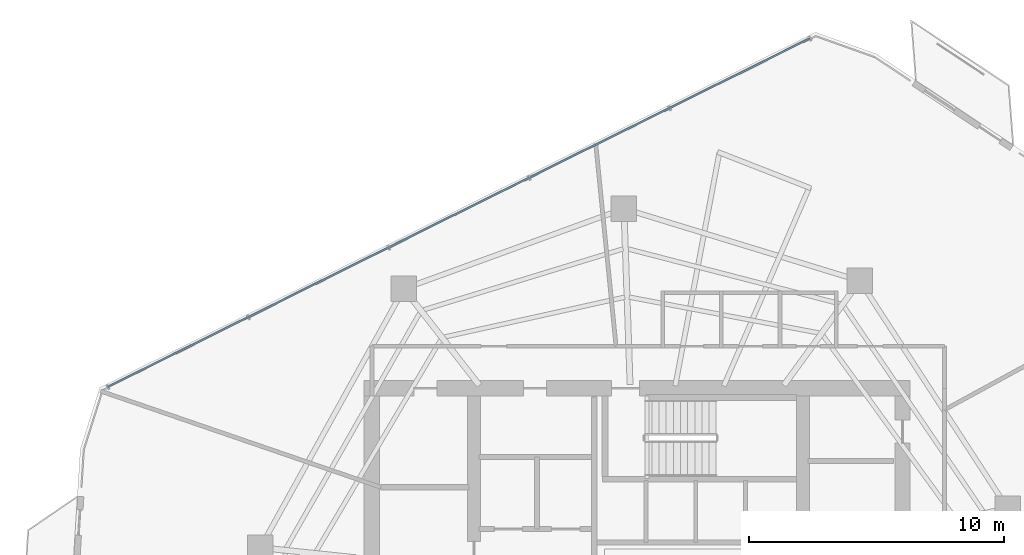
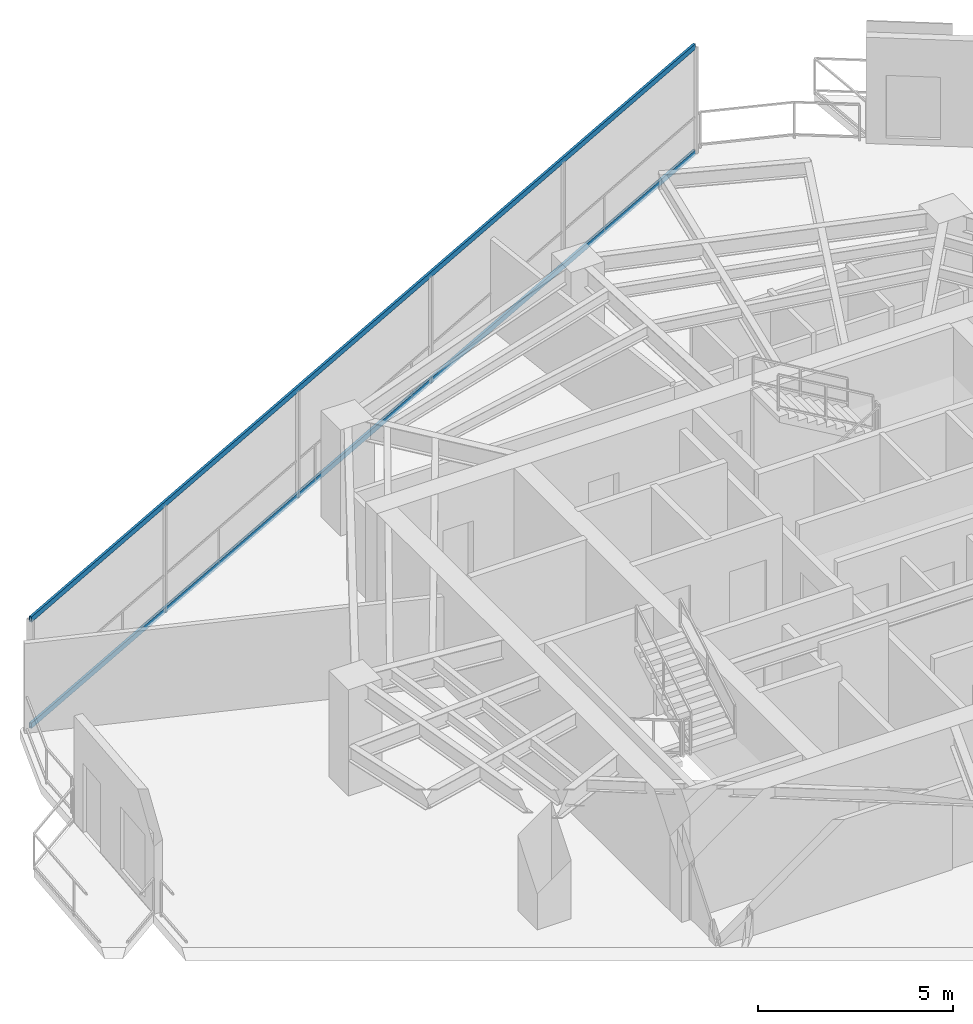
# One storey, part 13 of 21: 2 members, 1 element without a shape of its own.
"""IFC4 building model written with IfcOpenShell, lengths in metres."""

from ifc_helpers import new_model, si_unit, direction, frame, origin, origin_2d, place, context, subcontext, project, spatial, hollow_rectangle, extrude, material, layer, layer_set, material_profile, profile_set, type_object, element, aggregate, save


model = new_model("IFC4")

# Units and contexts
model_context = context("Model", 3, precision=1e-05, world=origin(), true_north=direction((0.0, 1.0)))
body_context = subcontext(model_context, "Body", "Model", "MODEL_VIEW")
ifc_project = project(units=[si_unit("LENGTHUNIT", "METRE"), si_unit("AREAUNIT", "SQUARE_METRE"), si_unit("VOLUMEUNIT", "CUBIC_METRE"), si_unit("PLANEANGLEUNIT", "RADIAN"), si_unit("MASSUNIT", "GRAM", prefix="KILO")], contexts=[model_context])

# Site, building, storey
site_placement = place(None, origin())
site = spatial("IfcSite", under=ifc_project, at=site_placement, CompositionType="ELEMENT")
building_placement = place(site_placement, origin())
building = spatial("IfcBuilding", under=site, at=building_placement, Name="Qarnah Convention Tower", CompositionType="ELEMENT")
storey_placement = place(building_placement, frame((0.0, 0.0, 165.300048828125)))
storey = spatial("IfcBuildingStorey", under=building, at=storey_placement, Name="L44", CompositionType="ELEMENT", Elevation=165.300048828125)

# Curtain wall, members
ifc_material_1 = material(Name="Tempered Low-E dark glass", Category="glass")
ifc_layer = layer(ifc_material_1, 0.172119140625)
ifc_layer_set = layer_set([ifc_layer], Name="Tempered Low-E dark glass")
curtain_wall_type = type_object("IfcCurtainWallType", Name="CWS-03", PredefinedType="NOTDEFINED", material=ifc_layer_set)
curtain_wall_placement = place(storey_placement, origin())
curtain_wall = element("IfcCurtainWall", 1, at=curtain_wall_placement, inside=storey, type_object=curtain_wall_type, Name="L44 unitised curtain wall CW-L44-F2", PredefinedType="NOTDEFINED")
ifc_material_2 = material(Name="Black anodised aluminium", Category="aluminium")
ifc_material_profile = material_profile(ifc_material_2, hollow_rectangle(XDim=0.070068359375, YDim=0.169921875, WallThickness=0.0048828125, at=origin_2d()), Name="TRN-70X170")
ifc_profile_set = profile_set([ifc_material_profile], Name="Black anodised aluminium")
member_type = type_object("IfcMemberType", Name="TRN-T3", PredefinedType="USERDEFINED", material=ifc_profile_set)
member_1_placement = place(storey_placement, frame((16.455078125, 34.2548828125, 0.0), z_axis=(0.895710677919, 0.444637359499, 0.0), x_axis=(-0.444637359499, 0.895710677919, 0.0)))
member_1 = element("IfcMember", 2, at=member_1_placement, type_object=member_type, Name="CW-L44-F2 transom 1", ObjectType="TRANSOM", PredefinedType="USERDEFINED", context=body_context, shape_type="SweptSolid", body=[
    extrude(hollow_rectangle(XDim=0.070068359375, YDim=0.169921875, WallThickness=0.0048828125, at=origin_2d()), origin(), (0.0, 0.0, 1.0), 30.726318359375),
])
member_2_placement = place(storey_placement, frame((16.455078125, 34.2548828125, 3.320068359375), z_axis=(0.895710677919, 0.444637359499, 0.0), x_axis=(-0.444637359499, 0.895710677919, 0.0)))
member_2 = element("IfcMember", 3, at=member_2_placement, type_object=member_type, Name="CW-L44-F2 transom 2", ObjectType="TRANSOM", PredefinedType="USERDEFINED", context=body_context, shape_type="SweptSolid", body=[
    extrude(hollow_rectangle(XDim=0.070068359375, YDim=0.169921875, WallThickness=0.0048828125, at=origin_2d()), origin(), (0.0, 0.0, 1.0), 30.726318359375),
])
aggregate(curtain_wall, [member_1, member_2])

save(model, "model.ifc")
